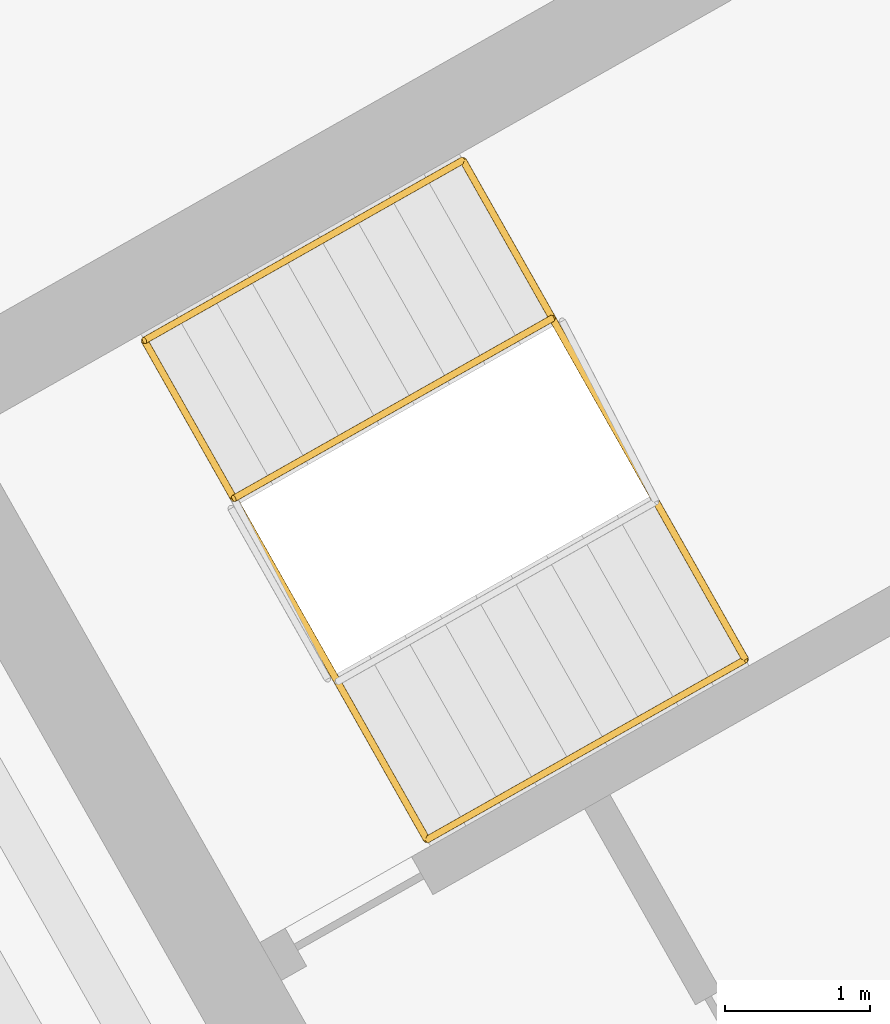
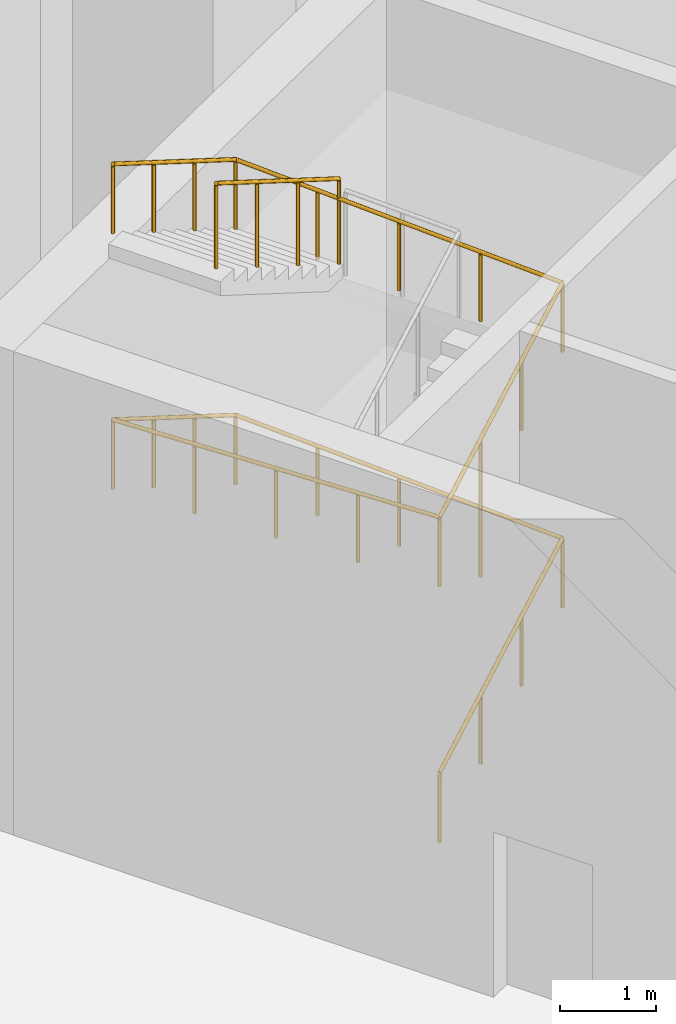
# One storey, part 20 of 22: 2 railings.
"""IFC4 building model written with IfcOpenShell, lengths in metres."""

from ifc_helpers import new_model, si_unit, direction, frame, origin, origin_2d, place, context, subcontext, project, spatial, circle, extrude, material, type_object, element, save


model = new_model("IFC4")

# Units and contexts
model_context = context("Model", 3, precision=1e-05, world=origin(), true_north=direction((0.0, 1.0)))
body_context = subcontext(model_context, "Body", "Model", "MODEL_VIEW")
ifc_project = project(units=[si_unit("LENGTHUNIT", "METRE"), si_unit("AREAUNIT", "SQUARE_METRE"), si_unit("VOLUMEUNIT", "CUBIC_METRE"), si_unit("PLANEANGLEUNIT", "RADIAN"), si_unit("MASSUNIT", "GRAM", prefix="KILO")], contexts=[model_context])

# Site, building, storey
site_placement = place(None, origin())
site = spatial("IfcSite", under=ifc_project, at=site_placement, CompositionType="ELEMENT")
building_placement = place(site_placement, origin())
building = spatial("IfcBuilding", under=site, at=building_placement, Name="Binnacle Exchange Tower", CompositionType="ELEMENT")
storey_placement = place(building_placement, origin())
storey = spatial("IfcBuildingStorey", under=building, at=storey_placement, Name="L00", CompositionType="ELEMENT", Elevation=0.0)

# Railings
ifc_material_1 = material(Name="Steel guard rail", Category="steel")
railing_type_1 = type_object("IfcRailingType", Name="STAIR GUARD 1100", PredefinedType="GUARDRAIL", material=ifc_material_1)
railing_1_placement = place(storey_placement, frame((-19.944580078125, 54.575439453125, 5.03759765625)))
element("IfcRailing", 1, at=railing_1_placement, inside=storey, type_object=railing_type_1, Name="L00 STC1 stair guard 4", PredefinedType="GUARDRAIL", context=body_context, shape_type="SweptSolid", body=[
    extrude(circle(Radius=0.02392578125, at=origin_2d()), frame((0.0, 0.0, 1.076171875), z_axis=(-0.752774168472, -0.425870903281, 0.501961178798), x_axis=(0.492398835054, -0.870369684236, 0.0)), (0.0, 0.0, 1.0), 2.913330078125),
    extrude(circle(Radius=0.02099609375, at=origin_2d()), origin(), (0.0, 0.0, 1.0), 1.052001953125),
    extrude(circle(Radius=0.02099609375, at=origin_2d()), frame((-0.73095703125, -0.41357421875, 0.487548828125)), (0.0, 0.0, 1.0), 1.052001953125),
    extrude(circle(Radius=0.02099609375, at=origin_2d()), frame((-1.462158203125, -0.8271484375, 0.974853515625)), (0.0, 0.0, 1.0), 1.052001953125),
    extrude(circle(Radius=0.02099609375, at=origin_2d()), frame((-2.193115234375, -1.24072265625, 1.46240234375)), (0.0, 0.0, 1.0), 1.052001953125),
])
ifc_material_2 = material(Name="Steel handrail", Category="steel")
railing_type_2 = type_object("IfcRailingType", Name="STAIR HANDRAIL 900", PredefinedType="HANDRAIL", material=ifc_material_2)
railing_2_placement = place(storey_placement, frame((-20.808349609375, 50.984619140625, 0.16259765625)))
element("IfcRailing", 2, at=railing_2_placement, inside=storey, type_object=railing_type_2, Name="L00 STC1 stair handrail 1", PredefinedType="HANDRAIL", context=body_context, shape_type="SweptSolid", body=[
    extrude(circle(Radius=0.02392578125, at=origin_2d()), frame((0.0, 0.0, 0.8759765625), z_axis=(0.75278361406, 0.425912634714, 0.501911603765), x_axis=(-0.492430705092, 0.870351653461, 0.0)), (0.0, 0.0, 1.0), 2.91357421875),
    extrude(circle(Radius=0.02392578125, at=origin_2d()), frame((2.193359375, 1.240966796875, 2.33837890625), z_axis=(-0.491996975706, 0.869624879113, 0.041128402889), x_axis=(-0.870361318571, -0.492413622004, 0.0)), (0.0, 0.0, 1.0), 3.953369140625),
    extrude(circle(Radius=0.02392578125, at=origin_2d()), frame((0.248291015625, 4.678955078125, 2.5009765625), z_axis=(-0.75278361406, -0.425912634714, 0.501911603765), x_axis=(0.492430705092, -0.870351653461, 0.0)), (0.0, 0.0, 1.0), 2.91357421875),
    extrude(circle(Radius=0.02392578125, at=origin_2d()), frame((-1.945068359375, 3.43798828125, 3.96337890625), z_axis=(0.491996975706, -0.869624879113, 0.041128402889), x_axis=(0.870361318571, 0.492413622004, 0.0)), (0.0, 0.0, 1.0), 3.953369140625),
    extrude(circle(Radius=0.02392578125, at=origin_2d()), frame((0.0, 0.0, 4.1259765625), z_axis=(0.75278361406, 0.425912634714, 0.501911603765), x_axis=(-0.492430705092, 0.870351653461, 0.0)), (0.0, 0.0, 1.0), 2.91357421875),
    extrude(circle(Radius=0.02392578125, at=origin_2d()), frame((2.193359375, 1.240966796875, 5.58837890625), z_axis=(-0.491996975706, 0.869624879113, 0.041128402889), x_axis=(-0.870361318571, -0.492413622004, 0.0)), (0.0, 0.0, 1.0), 3.953369140625),
    extrude(circle(Radius=0.02392578125, at=origin_2d()), frame((0.248291015625, 4.678955078125, 5.7509765625), z_axis=(-0.75278361406, -0.425912634714, 0.501911603765), x_axis=(0.492430705092, -0.870351653461, 0.0)), (0.0, 0.0, 1.0), 2.91357421875),
    extrude(circle(Radius=0.02099609375, at=origin_2d()), origin(), (0.0, 0.0, 1.0), 0.851806640625),
    extrude(circle(Radius=0.02099609375, at=origin_2d()), frame((0.731201171875, 0.41357421875, 0.487548828125)), (0.0, 0.0, 1.0), 0.851806640625),
    extrude(circle(Radius=0.02099609375, at=origin_2d()), frame((1.462158203125, 0.827392578125, 0.974853515625)), (0.0, 0.0, 1.0), 0.851806640625),
    extrude(circle(Radius=0.02099609375, at=origin_2d()), frame((2.193359375, 1.240966796875, 1.46240234375)), (0.0, 0.0, 1.0), 0.851806640625),
    extrude(circle(Radius=0.02099609375, at=origin_2d()), frame((1.70703125, 2.1005859375, 1.5029296875)), (0.0, 0.0, 1.0), 0.851806640625),
    extrude(circle(Radius=0.02099609375, at=origin_2d()), frame((1.220703125, 2.9599609375, 1.543701171875)), (0.0, 0.0, 1.0), 0.851806640625),
    extrude(circle(Radius=0.02099609375, at=origin_2d()), frame((0.734619140625, 3.8193359375, 1.58447265625)), (0.0, 0.0, 1.0), 0.851806640625),
    extrude(circle(Radius=0.02099609375, at=origin_2d()), frame((0.248291015625, 4.678955078125, 1.625)), (0.0, 0.0, 1.0), 0.851806640625),
    extrude(circle(Radius=0.02099609375, at=origin_2d()), frame((-0.48291015625, 4.265380859375, 2.112548828125)), (0.0, 0.0, 1.0), 0.851806640625),
    extrude(circle(Radius=0.02099609375, at=origin_2d()), frame((-1.2138671875, 3.8515625, 2.599853515625)), (0.0, 0.0, 1.0), 0.851806640625),
    extrude(circle(Radius=0.02099609375, at=origin_2d()), frame((-1.945068359375, 3.43798828125, 3.08740234375)), (0.0, 0.0, 1.0), 0.851806640625),
    extrude(circle(Radius=0.02099609375, at=origin_2d()), frame((-1.458740234375, 2.57861328125, 3.1279296875)), (0.0, 0.0, 1.0), 0.851806640625),
    extrude(circle(Radius=0.02099609375, at=origin_2d()), frame((-0.97265625, 1.718994140625, 3.168701171875)), (0.0, 0.0, 1.0), 0.851806640625),
    extrude(circle(Radius=0.02099609375, at=origin_2d()), frame((-0.486328125, 0.859375, 3.20947265625)), (0.0, 0.0, 1.0), 0.851806640625),
    extrude(circle(Radius=0.02099609375, at=origin_2d()), frame((0.0, 0.0, 3.25)), (0.0, 0.0, 1.0), 0.851806640625),
    extrude(circle(Radius=0.02099609375, at=origin_2d()), frame((0.731201171875, 0.41357421875, 3.737548828125)), (0.0, 0.0, 1.0), 0.851806640625),
    extrude(circle(Radius=0.02099609375, at=origin_2d()), frame((1.462158203125, 0.827392578125, 4.224853515625)), (0.0, 0.0, 1.0), 0.851806640625),
    extrude(circle(Radius=0.02099609375, at=origin_2d()), frame((2.193359375, 1.240966796875, 4.71240234375)), (0.0, 0.0, 1.0), 0.851806640625),
    extrude(circle(Radius=0.02099609375, at=origin_2d()), frame((1.70703125, 2.1005859375, 4.7529296875)), (0.0, 0.0, 1.0), 0.851806640625),
    extrude(circle(Radius=0.02099609375, at=origin_2d()), frame((1.220703125, 2.9599609375, 4.793701171875)), (0.0, 0.0, 1.0), 0.851806640625),
    extrude(circle(Radius=0.02099609375, at=origin_2d()), frame((0.734619140625, 3.8193359375, 4.83447265625)), (0.0, 0.0, 1.0), 0.851806640625),
    extrude(circle(Radius=0.02099609375, at=origin_2d()), frame((0.248291015625, 4.678955078125, 4.875)), (0.0, 0.0, 1.0), 0.851806640625),
    extrude(circle(Radius=0.02099609375, at=origin_2d()), frame((-0.48291015625, 4.265380859375, 5.362548828125)), (0.0, 0.0, 1.0), 0.851806640625),
    extrude(circle(Radius=0.02099609375, at=origin_2d()), frame((-1.2138671875, 3.8515625, 5.849853515625)), (0.0, 0.0, 1.0), 0.851806640625),
    extrude(circle(Radius=0.02099609375, at=origin_2d()), frame((-1.945068359375, 3.43798828125, 6.33740234375)), (0.0, 0.0, 1.0), 0.851806640625),
])

save(model, "model.ifc")
